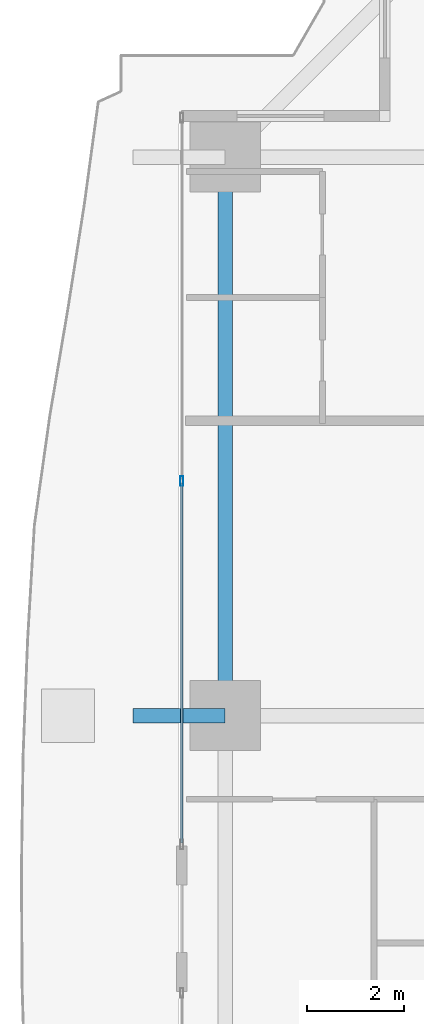
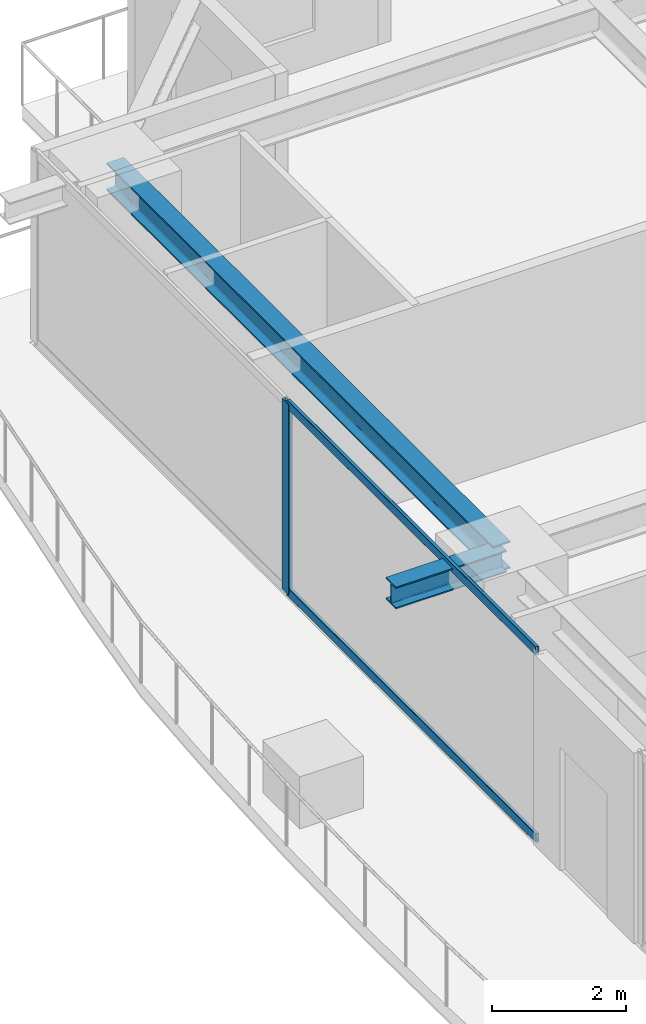
# One storey, part 16 of 40: 3 members, 2 beams, 1 element without a shape of its own.
"""IFC4 building model written with IfcOpenShell, lengths in metres."""

from ifc_helpers import new_model, si_unit, direction, frame, origin, origin_2d, place, context, subcontext, project, spatial, hollow_rectangle, i_section, extrude, source, transform, mapped, material, layer, layer_set, material_profile, profile_set, type_object, element, aggregate, save


model = new_model("IFC4")

# Units and contexts
model_context = context("Model", 3, precision=1e-05, world=origin(), true_north=direction((0.0, 1.0)))
body_context = subcontext(model_context, "Body", "Model", "MODEL_VIEW")
ifc_project = project(units=[si_unit("LENGTHUNIT", "METRE"), si_unit("AREAUNIT", "SQUARE_METRE"), si_unit("VOLUMEUNIT", "CUBIC_METRE"), si_unit("PLANEANGLEUNIT", "RADIAN"), si_unit("MASSUNIT", "GRAM", prefix="KILO")], contexts=[model_context])

# Site, building, storey
site_placement = place(None, origin())
site = spatial("IfcSite", under=ifc_project, at=site_placement, CompositionType="ELEMENT")
building_placement = place(site_placement, origin())
building = spatial("IfcBuilding", under=site, at=building_placement, Name="Serunith Strait Residences", CompositionType="ELEMENT")
storey_placement = place(building_placement, frame((0.0, 0.0, 90.449951171875)))
storey = spatial("IfcBuildingStorey", under=building, at=storey_placement, Name="L22", CompositionType="ELEMENT", Elevation=90.449951171875)

# Beams
ifc_material_1 = material(Name="Steel S355J2", Category="steel")
ifc_material_profile_1 = material_profile(ifc_material_1, i_section(OverallWidth=0.300048828125, OverallDepth=0.5, WebThickness=0.014404296875, FlangeThickness=0.028076171875, FilletRadius=0.027099609375, at=origin_2d()), Name="HEB 500")
ifc_profile_set_1 = profile_set([ifc_material_profile_1], Name="Steel S355J2")
beam_type_1 = type_object("IfcBeamType", Name="BM-HEB500", PredefinedType="BEAM", material=ifc_profile_set_1)
shared_shape_1 = source(origin(), body_context, "Body", "SweptSolid", [
    extrude(i_section(OverallWidth=0.300048828125, OverallDepth=0.5, WebThickness=0.014404296875, FlangeThickness=0.028076171875, FilletRadius=0.027099609375, at=origin_2d()), origin(), (0.0, 0.0, 1.0), 11.550048828125),
])
beam_1_placement = place(storey_placement, frame((6.89990234375, 40.949951171875, 3.237060546875), z_axis=(0.0, -1.0, 0.0), x_axis=(1.0, 0.0, 0.0)))
element("IfcBeam", 1, at=beam_1_placement, inside=storey, type_object=beam_type_1, Name="L22 Perimeter Ring Beam 13", PredefinedType="BEAM", context=body_context, shape_type="MappedRepresentation", body=[
    mapped(shared_shape_1, transform((0.0, 0.0, 0.0), scale=1.0)),
])
ifc_material_profile_2 = material_profile(ifc_material_1, i_section(OverallWidth=0.300048828125, OverallDepth=0.39990234375, WebThickness=0.013427734375, FlangeThickness=0.02392578125, FilletRadius=0.027099609375, at=origin_2d()), Name="HEB 400")
ifc_profile_set_2 = profile_set([ifc_material_profile_2], Name="Steel S355J2")
beam_type_2 = type_object("IfcBeamType", Name="BM-HEB400", PredefinedType="BEAM", material=ifc_profile_set_2)
shared_shape_2 = source(origin(), body_context, "Body", "SweptSolid", [
    extrude(i_section(OverallWidth=0.300048828125, OverallDepth=0.39990234375, WebThickness=0.013427734375, FlangeThickness=0.02392578125, FilletRadius=0.027099609375, at=origin_2d()), origin(), (0.0, 0.0, 1.0), 1.909912109375),
])
beam_2_placement = place(storey_placement, frame((6.89990234375, 29.39990234375, 3.257080078125), z_axis=(-1.0, 0.0, 0.0), x_axis=(0.0, -1.0, 0.0)))
element("IfcBeam", 2, at=beam_2_placement, inside=storey, type_object=beam_type_2, Name="L23 Cantilevered Balcony Rib TC-W3", PredefinedType="BEAM", context=body_context, shape_type="MappedRepresentation", body=[
    mapped(shared_shape_2, transform((0.0, 0.0, 0.0), scale=1.0)),
])

# Curtain wall, members
ifc_material_2 = material(Name="Pale-Champagne Anodised Aluminium", Category="aluminium")
ifc_layer = layer(ifc_material_2, 0.199951171875, Name="Pale-Champagne Anodised Aluminium")
ifc_layer_set = layer_set([ifc_layer], Name="Pale-Champagne Anodised Aluminium")
curtain_wall_type = type_object("IfcCurtainWallType", Name="CW-SYS1", PredefinedType="NOTDEFINED", material=ifc_layer_set)
curtain_wall_placement = place(storey_placement, origin())
curtain_wall = element("IfcCurtainWall", 3, at=curtain_wall_placement, inside=storey, type_object=curtain_wall_type, Name="L22 W Unitised Fritted Curtain Wall", PredefinedType="NOTDEFINED")
ifc_material_profile_3 = material_profile(ifc_material_2, hollow_rectangle(XDim=0.070068359375, YDim=0.199951171875, WallThickness=0.00390625, InnerFilletRadius=0.006103515625, OuterFilletRadius=0.010009765625, at=origin_2d()), Name="ALU 200x70x4")
ifc_profile_set_3 = profile_set([ifc_material_profile_3], Name="Pale-Champagne Anodised Aluminium")
member_type_1 = type_object("IfcMemberType", Name="CW-SYS1-MULL", PredefinedType="MULLION", material=ifc_profile_set_3)
shared_shape_3 = source(origin(), body_context, "Body", "SweptSolid", [
    extrude(hollow_rectangle(XDim=0.070068359375, YDim=0.199951171875, WallThickness=0.00390625, InnerFilletRadius=0.006103515625, OuterFilletRadius=0.010009765625, at=origin_2d()), origin(), (0.0, 0.0, 1.0), 3.47509765625),
])
member_1_placement = place(storey_placement, frame((6.0, 34.25, 0.0), z_axis=(0.0, 0.0, 1.0), x_axis=(1.0, 0.0, 0.0)))
member_1 = element("IfcMember", 4, at=member_1_placement, type_object=member_type_1, Name="CW-1 mullion 2", PredefinedType="MULLION", context=body_context, shape_type="MappedRepresentation", body=[
    mapped(shared_shape_3, transform((0.0, 0.0, 0.0), scale=1.0)),
])
ifc_material_profile_4 = material_profile(ifc_material_2, hollow_rectangle(XDim=0.06005859375, YDim=0.159912109375, WallThickness=0.00341796875, InnerFilletRadius=0.00537109375, OuterFilletRadius=0.0087890625, at=origin_2d()), Name="ALU 160x60x3.5")
ifc_profile_set_4 = profile_set([ifc_material_profile_4], Name="Pale-Champagne Anodised Aluminium")
member_type_2 = type_object("IfcMemberType", Name="CW-SYS1-TRAN", PredefinedType="USERDEFINED", material=ifc_profile_set_4)
shared_shape_4 = source(origin(), body_context, "Body", "SweptSolid", [
    extrude(hollow_rectangle(XDim=0.06005859375, YDim=0.159912109375, WallThickness=0.00341796875, InnerFilletRadius=0.00537109375, OuterFilletRadius=0.0087890625, at=origin_2d()), origin(), (0.0, 0.0, 1.0), 7.445068359375),
])
member_2_placement = place(storey_placement, frame((6.0, 34.215087890625, 0.030029296875), z_axis=(0.0, -1.0, 0.0), x_axis=(1.0, 0.0, 0.0)))
member_2 = element("IfcMember", 5, at=member_2_placement, type_object=member_type_2, Name="CW-1 transom 2.1", ObjectType="TRANSOM", PredefinedType="USERDEFINED", context=body_context, shape_type="MappedRepresentation", body=[
    mapped(shared_shape_4, transform((0.0, 0.0, 0.0), scale=1.0)),
])
member_3_placement = place(storey_placement, frame((6.0, 34.215087890625, 3.445068359375), z_axis=(0.0, -1.0, 0.0), x_axis=(1.0, 0.0, 0.0)))
member_3 = element("IfcMember", 6, at=member_3_placement, type_object=member_type_2, Name="CW-1 transom 2.2", ObjectType="TRANSOM", PredefinedType="USERDEFINED", context=body_context, shape_type="MappedRepresentation", body=[
    mapped(shared_shape_4, transform((0.0, 0.0, 0.0), scale=1.0)),
])
aggregate(curtain_wall, [member_1, member_2, member_3])

save(model, "model.ifc")
